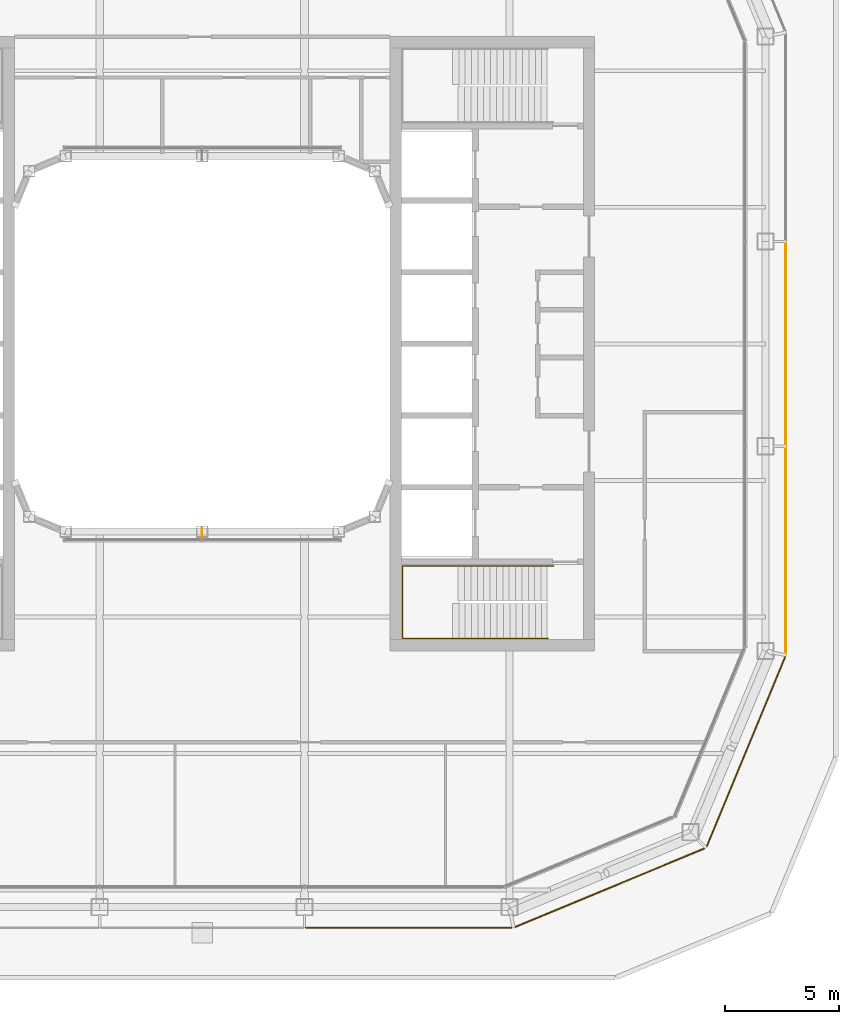
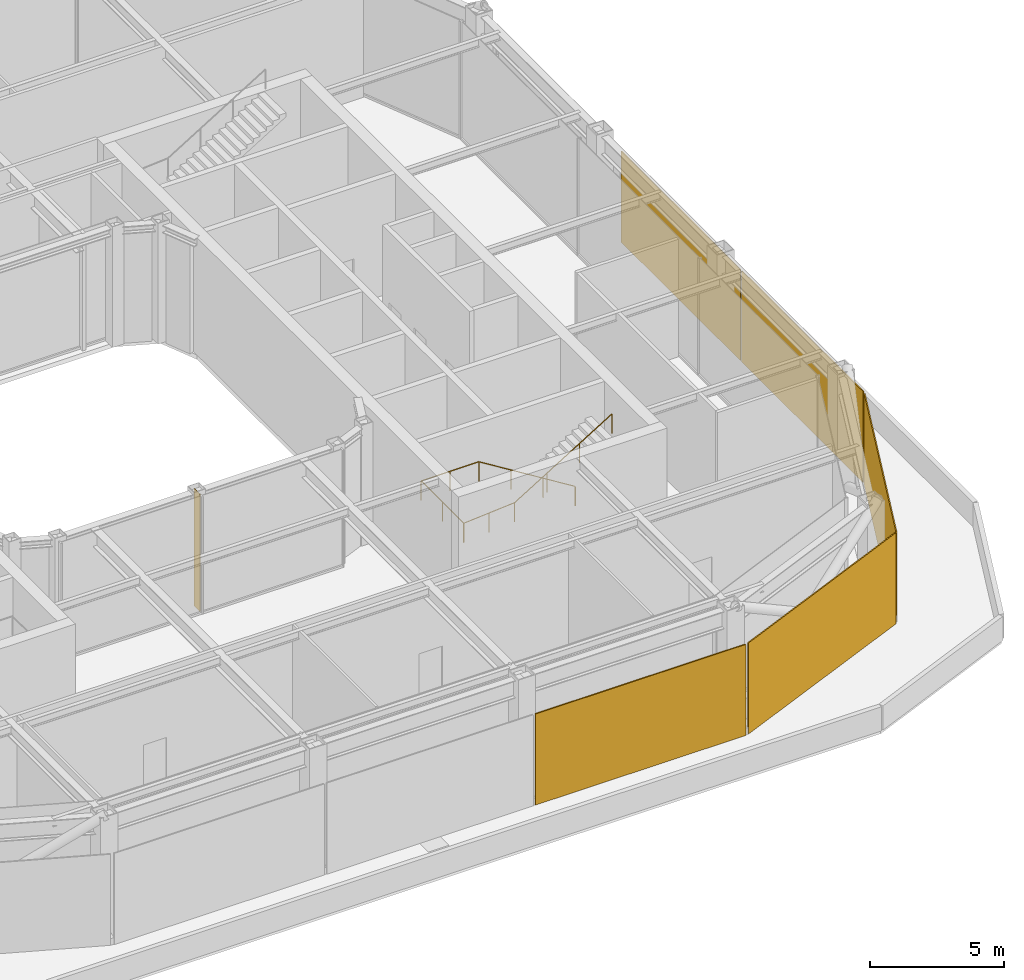
# One storey, part 15 of 17: 5 coverings, 1 railing, 1 shading device.
"""IFC4 building model written with IfcOpenShell, lengths in metres."""

from ifc_helpers import new_model, si_unit, direction, frame, origin, origin_2d, place, context, subcontext, project, spatial, rectangle, circle, extrude, material, layer, layer_set, type_object, element, save


model = new_model("IFC4")

# Units and contexts
model_context = context("Model", 3, precision=1e-05, world=origin(), true_north=direction((0.0, 1.0)))
body_context = subcontext(model_context, "Body", "Model", "MODEL_VIEW")
ifc_project = project(units=[si_unit("LENGTHUNIT", "METRE"), si_unit("AREAUNIT", "SQUARE_METRE"), si_unit("VOLUMEUNIT", "CUBIC_METRE"), si_unit("PLANEANGLEUNIT", "RADIAN"), si_unit("MASSUNIT", "GRAM", prefix="KILO")], contexts=[model_context])

# Site, building, storey
site_placement = place(None, origin())
site = spatial("IfcSite", under=ifc_project, at=site_placement, CompositionType="ELEMENT")
building_placement = place(site_placement, origin())
building = spatial("IfcBuilding", under=site, at=building_placement, Name="Siwar Civic Tower", CompositionType="ELEMENT")
storey_placement = place(building_placement, frame((0.0, 0.0, 284.199951171875)))
storey = spatial("IfcBuildingStorey", under=building, at=storey_placement, Name="L61", CompositionType="ELEMENT", Elevation=284.199951171875)

# Railing
ifc_material_1 = material(Name="Stainless steel", Category="steel")
railing_type = type_object("IfcRailingType", Name="CORE-STAIR-HANDRAIL", PredefinedType="HANDRAIL", material=ifc_material_1)
railing_placement = place(storey_placement, frame((15.449951171875, -9.758056640625, 0.171875)))
element("IfcRailing", 1, at=railing_placement, inside=storey, type_object=railing_type, Name="Stair handrail ST4", PredefinedType="HANDRAIL", context=body_context, shape_type="SweptSolid", body=[
    extrude(circle(Radius=0.02001953125, at=origin_2d()), frame((0.0, 0.0, 0.8798828125), z_axis=(-0.849426996612, 0.0, 0.527706146854), x_axis=(0.0, -1.0, 0.0)), (0.0, 0.0, 1.0), 4.885498046875),
    extrude(circle(Radius=0.02001953125, at=origin_2d()), frame((-4.14990234375, 0.0, 3.4580078125), z_axis=(-1.0, 0.0, 0.0), x_axis=(0.0, -1.0, 0.0)), (0.0, 0.0, 1.0), 2.491943359375),
    extrude(circle(Radius=0.02001953125, at=origin_2d()), frame((-6.641845703125, 0.0, 3.4580078125), z_axis=(0.0, -1.0, 0.0), x_axis=(1.0, 0.0, 0.0)), (0.0, 0.0, 1.0), 3.183837890625),
    extrude(circle(Radius=0.02001953125, at=origin_2d()), frame((-6.641845703125, -3.183837890625, 3.4580078125), z_axis=(0.996939735461, 0.0, 0.078173933367), x_axis=(0.0, 1.0, 0.0)), (0.0, 0.0, 1.0), 2.19873046875),
    extrude(circle(Radius=0.02001953125, at=origin_2d()), frame((-4.449951171875, -3.183837890625, 3.6298828125), z_axis=(0.852242915053, 0.0, 0.523146264196), x_axis=(0.0, 1.0, 0.0)), (0.0, 0.0, 1.0), 4.92822265625),
    extrude(circle(Radius=0.02001953125, at=origin_2d()), origin(), (0.0, 0.0, 1.0), 0.85986328125),
    extrude(circle(Radius=0.02001953125, at=origin_2d()), frame((-1.38330078125, 0.0, 0.859375)), (0.0, 0.0, 1.0), 0.85986328125),
    extrude(circle(Radius=0.02001953125, at=origin_2d()), frame((-2.7666015625, 0.0, 1.71875)), (0.0, 0.0, 1.0), 0.85986328125),
    extrude(circle(Radius=0.02001953125, at=origin_2d()), frame((-4.14990234375, 0.0, 2.578125)), (0.0, 0.0, 1.0), 0.85986328125),
    extrude(circle(Radius=0.02001953125, at=origin_2d()), frame((-5.39599609375, 0.0, 2.578125)), (0.0, 0.0, 1.0), 0.85986328125),
    extrude(circle(Radius=0.02001953125, at=origin_2d()), frame((-6.641845703125, 0.0, 2.578125)), (0.0, 0.0, 1.0), 0.85986328125),
    extrude(circle(Radius=0.02001953125, at=origin_2d()), frame((-6.641845703125, -1.591796875, 2.578125)), (0.0, 0.0, 1.0), 0.85986328125),
    extrude(circle(Radius=0.02001953125, at=origin_2d()), frame((-6.641845703125, -3.183837890625, 2.578125)), (0.0, 0.0, 1.0), 0.85986328125),
    extrude(circle(Radius=0.02001953125, at=origin_2d()), frame((-5.5458984375, -3.183837890625, 2.6640625)), (0.0, 0.0, 1.0), 0.85986328125),
    extrude(circle(Radius=0.02001953125, at=origin_2d()), frame((-4.449951171875, -3.183837890625, 2.75)), (0.0, 0.0, 1.0), 0.85986328125),
    extrude(circle(Radius=0.02001953125, at=origin_2d()), frame((-3.050048828125, -3.183837890625, 3.609375)), (0.0, 0.0, 1.0), 0.85986328125),
    extrude(circle(Radius=0.02001953125, at=origin_2d()), frame((-1.64990234375, -3.183837890625, 4.46875)), (0.0, 0.0, 1.0), 0.85986328125),
    extrude(circle(Radius=0.02001953125, at=origin_2d()), frame((-0.25, -3.183837890625, 5.328125)), (0.0, 0.0, 1.0), 0.85986328125),
])

# Shading device
ifc_material_2 = material(Name="Aluminium 6063-T6", Category="aluminium")
ifc_layer_1 = layer(ifc_material_2, 0.02001953125)
ifc_layer_set_1 = layer_set([ifc_layer_1], Name="Aluminium 6063-T6")
shading_device_type = type_object("IfcShadingDeviceType", Name="ENV-FIN", PredefinedType="JALOUSIE", material=ifc_layer_set_1)
shading_device_placement = place(storey_placement, frame((0.0, -8.294921875, 0.0), z_axis=(0.0, 0.0, 1.0), x_axis=(1.0, 0.0, 0.0)))
element("IfcShadingDevice", 2, at=shading_device_placement, inside=storey, type_object=shading_device_type, Name="SUNSHADE fin WS 1", PredefinedType="JALOUSIE", context=body_context, shape_type="SweptSolid", body=[
    extrude(rectangle(XDim=0.02001953125, YDim=0.449951171875, at=origin_2d()), origin(), (0.0, 0.0, 1.0), 5.35009765625),
])

# Coverings
ifc_material_3 = material(Name="Perforated aluminium cassette, pale metal", Category="aluminium")
ifc_layer_2 = layer(ifc_material_3, 0.0400390625)
ifc_layer_set_2 = layer_set([ifc_layer_2], Name="Perforated aluminium cassette, pale metal")
covering_type_1 = type_object("IfcCoveringType", Name="ENV-OUTER SKIN OS-1", PredefinedType="CLADDING", material=ifc_layer_set_2)
covering_1_placement = place(storey_placement, frame((25.64990234375, -9.07958984375, 0.0), z_axis=(0.0, 0.0, 1.0), x_axis=(0.0, 1.0, 0.0)))
element("IfcCovering", 3, at=covering_1_placement, inside=storey, type_object=covering_type_1, Name="OUTER SKIN OS-1 E 1", PredefinedType="CLADDING", context=body_context, shape_type="SweptSolid", body=[
    extrude(rectangle(XDim=9.05908203125, YDim=0.0400390625, at=origin_2d()), origin(), (0.0, 0.0, 1.0), 4.14990234375),
])
covering_2_placement = place(storey_placement, frame((25.64990234375, 0.0, 0.0), z_axis=(0.0, 0.0, 1.0), x_axis=(0.0, 1.0, 0.0)))
element("IfcCovering", 4, at=covering_2_placement, inside=storey, type_object=covering_type_1, Name="OUTER SKIN OS-1 E 2", PredefinedType="CLADDING", context=body_context, shape_type="SweptSolid", body=[
    extrude(rectangle(XDim=8.89990234375, YDim=0.0400390625, at=origin_2d()), origin(), (0.0, 0.0, 1.0), 4.14990234375),
])
ifc_material_4 = material(Name="Perforated aluminium cassette, pale metal", Category="aluminium")
ifc_layer_3 = layer(ifc_material_4, 0.044921875)
ifc_layer_set_3 = layer_set([ifc_layer_3], Name="Perforated aluminium cassette, pale metal")
covering_type_2 = type_object("IfcCoveringType", Name="ENV-OUTER SKIN OS-2", PredefinedType="CLADDING", material=ifc_layer_set_3)
covering_3_placement = place(storey_placement, frame((23.89697265625, -17.911376953125, 0.0), z_axis=(0.0, 0.0, 1.0), x_axis=(0.382683432365, 0.923879532511, 0.0)))
element("IfcCovering", 5, at=covering_3_placement, inside=storey, type_object=covering_type_2, Name="OUTER SKIN OS-2 SE2 1", PredefinedType="CLADDING", context=body_context, shape_type="SweptSolid", body=[
    extrude(rectangle(XDim=9.022216796875, YDim=0.044921875, at=origin_2d()), origin(), (0.0, 0.0, 1.0), 4.14990234375),
])
ifc_material_5 = material(Name="Perforated aluminium cassette, pale metal", Category="aluminium")
ifc_layer_4 = layer(ifc_material_5, 0.050048828125)
ifc_layer_set_4 = layer_set([ifc_layer_4], Name="Perforated aluminium cassette, pale metal")
covering_type_3 = type_object("IfcCoveringType", Name="ENV-OUTER SKIN OS-3", PredefinedType="CLADDING", material=ifc_layer_set_4)
covering_4_placement = place(storey_placement, frame((17.911376953125, -23.89697265625, 0.0), z_axis=(0.0, 0.0, 1.0), x_axis=(0.923879532511, 0.382683432365, 0.0)))
element("IfcCovering", 6, at=covering_4_placement, inside=storey, type_object=covering_type_3, Name="OUTER SKIN OS-3 SE1 1", PredefinedType="CLADDING", context=body_context, shape_type="SweptSolid", body=[
    extrude(rectangle(XDim=9.022216796875, YDim=0.050048828125, at=origin_2d()), origin(), (0.0, 0.0, 1.0), 4.14990234375),
])
ifc_material_6 = material(Name="Perforated aluminium cassette, pale metal", Category="aluminium")
ifc_layer_5 = layer(ifc_material_6, 0.054931640625)
ifc_layer_set_5 = layer_set([ifc_layer_5], Name="Perforated aluminium cassette, pale metal")
covering_type_4 = type_object("IfcCoveringType", Name="ENV-OUTER SKIN OS-4", PredefinedType="CLADDING", material=ifc_layer_set_5)
covering_5_placement = place(storey_placement, frame((9.07958984375, -25.64990234375, 0.0), z_axis=(0.0, 0.0, 1.0), x_axis=(1.0, 0.0, 0.0)))
element("IfcCovering", 7, at=covering_5_placement, inside=storey, type_object=covering_type_4, Name="OUTER SKIN OS-4 S 3", PredefinedType="CLADDING", context=body_context, shape_type="SweptSolid", body=[
    extrude(rectangle(XDim=9.05908203125, YDim=0.054931640625, at=origin_2d()), origin(), (0.0, 0.0, 1.0), 4.14990234375),
])

save(model, "model.ifc")
